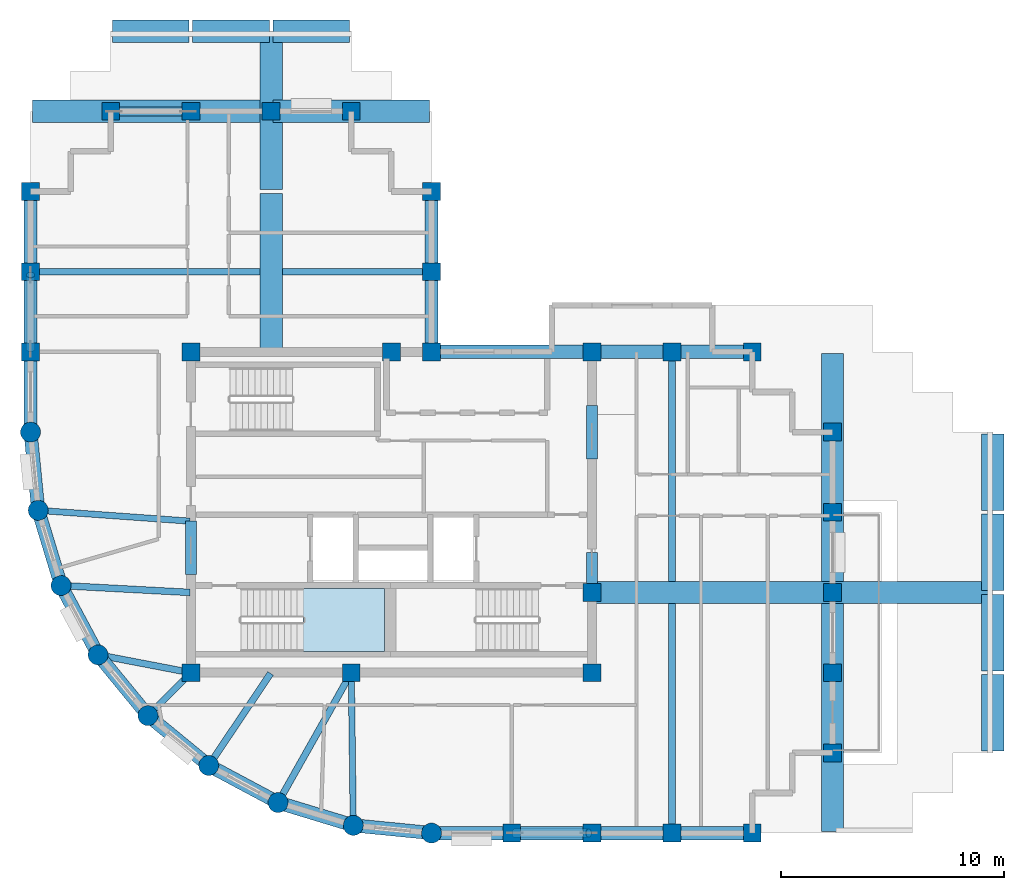
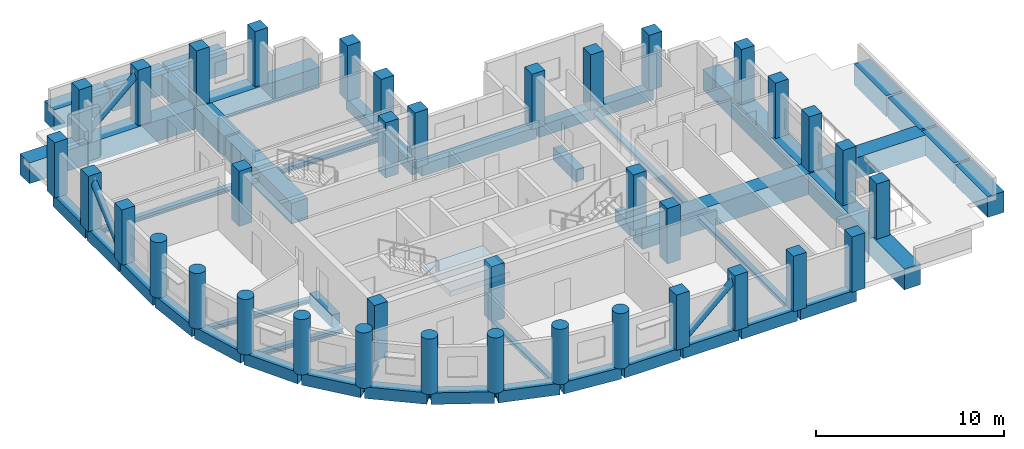
# One storey, part 1 of 7: 47 beams, 37 columns, 3 members, 1 slab, 1 element without a shape of its own.
"""IFC4 building model written with IfcOpenShell, lengths in metres."""

from ifc_helpers import new_model, si_unit, direction, frame, origin, origin_2d, place, context, subcontext, project, spatial, polyline, rectangle, circle, hollow_circle, i_section, outline, extrude, material, layer, layer_set, material_profile, profile_set, type_object, element, aggregate, save


model = new_model("IFC4")

# Units and contexts
model_context = context("Model", 3, precision=1e-05, world=origin(), true_north=direction((0.0, 1.0)))
body_context = subcontext(model_context, "Body", "Model", "MODEL_VIEW")
ifc_project = project(units=[si_unit("LENGTHUNIT", "METRE"), si_unit("AREAUNIT", "SQUARE_METRE"), si_unit("VOLUMEUNIT", "CUBIC_METRE"), si_unit("PLANEANGLEUNIT", "RADIAN"), si_unit("MASSUNIT", "GRAM", prefix="KILO")], contexts=[model_context])

# Site, building, storey
site_placement = place(None, origin())
site = spatial("IfcSite", under=ifc_project, at=site_placement, CompositionType="ELEMENT")
building_placement = place(site_placement, origin())
building = spatial("IfcBuilding", under=site, at=building_placement, Name="Solnavia Interchange Tower", CompositionType="ELEMENT")
storey_placement = place(building_placement, frame((0.0, 0.0, 221.0)))
storey = spatial("IfcBuildingStorey", under=building, at=storey_placement, Name="L55", CompositionType="ELEMENT", Elevation=221.0)

# Columns
ifc_material_1 = material(Name="Concrete C50/60", Category="concrete")
ifc_material_profile_1 = material_profile(ifc_material_1, rectangle(XDim=0.800048828125, YDim=0.800048828125, at=origin_2d()), Name="RC 800x800")
ifc_profile_set_1 = profile_set([ifc_material_profile_1], Name="Concrete C50/60")
column_type_1 = type_object("IfcColumnType", Name="Col-RC-800x800", PredefinedType="COLUMN", material=ifc_profile_set_1)
for number, where, z_axis, x_axis, name in (
    (1, (7.199951171875, 25.199951171875, 0.0), (0.0, 0.0, 1.0), (0.0, 1.0, 0.0), "COL-L55-02 Tower perim y column"),
    (2, (7.199951171875, 28.800048828125, 0.0), (0.0, 0.0, 1.0), (0.0, 1.0, 0.0), "COL-L55-03 Tower perim y column"),
    (3, (7.199951171875, 32.39990234375, 0.0), (0.0, 0.0, 1.0), (0.0, 1.0, 0.0), "COL-L55-04 Tower corner column"),
    (4, (10.800048828125, 36.0, 0.0), (0.0, 0.0, 1.0), (1.0, 0.0, 0.0), "COL-L55-08 Tower corner column"),
    (5, (14.39990234375, 10.800048828125, 0.0), (0.0, 0.0, 1.0), (1.0, 0.0, 0.0), "COL-L55-10 Tower interior column"),
    (6, (14.39990234375, 25.199951171875, 0.0), (0.0, 0.0, 1.0), (1.0, 0.0, 0.0), "COL-L55-11 Tower interior column"),
    (7, (14.39990234375, 36.0, 0.0), (0.0, 0.0, 1.0), (1.0, 0.0, 0.0), "COL-L55-12 Tower perim x column"),
    (8, (18.0, 36.0, 0.0), (0.0, 0.0, 1.0), (1.0, 0.0, 0.0), "COL-L55-14 Tower perim x column"),
    (9, (21.60009765625, 10.800048828125, 0.0), (0.0, 0.0, 1.0), (1.0, 0.0, 0.0), "COL-L55-16 Tower interior column"),
    (10, (21.60009765625, 36.0, 0.0), (0.0, 0.0, 1.0), (1.0, 0.0, 0.0), "COL-L55-17 Tower corner column"),
    (11, (23.39990234375, 25.199951171875, 0.0), (0.0, 0.0, 1.0), (1.0, 0.0, 0.0), "COL-L55-19 Tower interior column"),
    (12, (25.199951171875, 25.199951171875, 0.0), (0.0, 0.0, 1.0), (1.0, 0.0, 0.0), "COL-L55-21 Tower interior column"),
    (13, (25.199951171875, 28.800048828125, 0.0), (0.0, 0.0, 1.0), (0.0, 1.0, 0.0), "COL-L55-22 Tower perim y column"),
    (14, (25.199951171875, 32.39990234375, 0.0), (0.0, 0.0, 1.0), (0.0, 1.0, 0.0), "COL-L55-23 Tower corner column"),
    (15, (28.800048828125, 3.60009765625, 0.0), (0.0, 0.0, 1.0), (1.0, 0.0, 0.0), "COL-L55-24 Tower perim x column"),
    (16, (32.39990234375, 3.60009765625, 0.0), (0.0, 0.0, 1.0), (1.0, 0.0, 0.0), "COL-L55-25 Tower perim x column"),
    (17, (32.39990234375, 10.800048828125, 0.0), (0.0, 0.0, 1.0), (1.0, 0.0, 0.0), "COL-L55-26 Tower interior column"),
    (18, (32.39990234375, 14.39990234375, 0.0), (0.0, 0.0, 1.0), (1.0, 0.0, 0.0), "COL-L55-27 Tower interior column"),
    (19, (32.39990234375, 25.199951171875, 0.0), (0.0, 0.0, 1.0), (1.0, 0.0, 0.0), "COL-L55-28 Tower interior column"),
    (20, (36.0, 3.60009765625, 0.0), (0.0, 0.0, 1.0), (1.0, 0.0, 0.0), "COL-L55-29 Tower perim x column"),
    (21, (36.0, 25.199951171875, 0.0), (0.0, 0.0, 1.0), (1.0, 0.0, 0.0), "COL-L55-30 Tower perim x column"),
    (22, (39.60009765625, 3.60009765625, 0.0), (0.0, 0.0, 1.0), (1.0, 0.0, 0.0), "COL-L55-31 Tower corner column"),
    (23, (39.60009765625, 25.199951171875, 0.0), (0.0, 0.0, 1.0), (1.0, 0.0, 0.0), "COL-L55-32 Tower corner column"),
    (24, (43.199951171875, 7.199951171875, 0.0), (0.0, 0.0, 1.0), (1.0, 0.0, 0.0), "COL-L55-33 Tower corner column"),
    (25, (43.199951171875, 10.800048828125, 0.0), (0.0, 0.0, 1.0), (0.0, 1.0, 0.0), "COL-L55-34 Tower perim y column"),
    (26, (43.199951171875, 14.39990234375, 0.0), (0.0, 0.0, 1.0), (0.0, 1.0, 0.0), "COL-L55-35 Tower perim y column"),
    (27, (43.199951171875, 18.0, 0.0), (0.0, 0.0, 1.0), (0.0, 1.0, 0.0), "COL-L55-36 Tower perim y column"),
    (28, (43.199951171875, 21.60009765625, 0.0), (0.0, 0.0, 1.0), (0.0, 1.0, 0.0), "COL-L55-37 Tower corner column"),
):
    element("IfcColumn", number, at=place(storey_placement, frame(where, z_axis=z_axis, x_axis=x_axis)), inside=storey, type_object=column_type_1, Name=name, PredefinedType="COLUMN", context=body_context, shape_type="SweptSolid", body=[
        extrude(rectangle(XDim=0.800048828125, YDim=0.800048828125, at=origin_2d()), origin(), (0.0, 0.0, 1.0), 3.60009765625),
    ])
ifc_material_profile_2 = material_profile(ifc_material_1, circle(Radius=0.449951171875, at=origin_2d()), Name="RC D900")
ifc_profile_set_2 = profile_set([ifc_material_profile_2], Name="Concrete C50/60")
column_type_2 = type_object("IfcColumnType", Name="Col-RC-D900", PredefinedType="COLUMN", material=ifc_profile_set_2)
for number, where, z_axis, x_axis, name in (
    (29, (7.199951171875, 21.60009765625, 0.0), (0.0, 0.0, 1.0), (1.0, 0.0, 0.0), "COL-L55-01 Tower drum column"),
    (30, (7.5458984375, 18.087890625, 0.0), (0.0, 0.0, 1.0), (1.0, 0.0, 0.0), "COL-L55-05 Tower drum column"),
    (31, (8.570068359375, 14.7119140625, 0.0), (0.0, 0.0, 1.0), (1.0, 0.0, 0.0), "COL-L55-06 Tower drum column"),
    (32, (10.23388671875, 11.60009765625, 0.0), (0.0, 0.0, 1.0), (1.0, 0.0, 0.0), "COL-L55-07 Tower drum column"),
    (33, (12.471923828125, 8.8720703125, 0.0), (0.0, 0.0, 1.0), (1.0, 0.0, 0.0), "COL-L55-09 Tower drum column"),
    (34, (15.199951171875, 6.634033203125, 0.0), (0.0, 0.0, 1.0), (1.0, 0.0, 0.0), "COL-L55-13 Tower drum column"),
    (35, (18.31201171875, 4.969970703125, 0.0), (0.0, 0.0, 1.0), (1.0, 0.0, 0.0), "COL-L55-15 Tower drum column"),
    (36, (21.68798828125, 3.946044921875, 0.0), (0.0, 0.0, 1.0), (1.0, 0.0, 0.0), "COL-L55-18 Tower drum column"),
    (37, (25.199951171875, 3.60009765625, 0.0), (0.0, 0.0, 1.0), (1.0, 0.0, 0.0), "COL-L55-20 Tower drum column"),
):
    element("IfcColumn", number, at=place(storey_placement, frame(where, z_axis=z_axis, x_axis=x_axis)), inside=storey, type_object=column_type_2, Name=name, PredefinedType="COLUMN", context=body_context, shape_type="SweptSolid", body=[
        extrude(circle(Radius=0.449951171875, at=origin_2d()), origin(), (0.0, 0.0, 1.0), 3.60009765625),
    ])

# Beams
ifc_material_profile_3 = material_profile(ifc_material_1, rectangle(XDim=0.5, YDim=0.800048828125, at=origin_2d()), Name="RC 500x800")
ifc_profile_set_3 = profile_set([ifc_material_profile_3], Name="Concrete C50/60")
beam_type_1 = type_object("IfcBeamType", Name="Beam-Coupling-RC500x800", PredefinedType="LINTEL", material=ifc_profile_set_3)
beam_1_placement = place(storey_placement, frame((14.39990234375, 15.199951171875, -0.39990234375), z_axis=(0.0, 1.0, 0.0), x_axis=(-1.0, 0.0, 0.0)))
element("IfcBeam", 38, at=beam_1_placement, inside=storey, type_object=beam_type_1, Name="CPB-L55-W1 Core coupling lintel beam", PredefinedType="LINTEL", context=body_context, shape_type="SweptSolid", body=[
    extrude(rectangle(XDim=0.5, YDim=0.800048828125, at=origin_2d()), origin(), (0.0, 0.0, 1.0), 2.400146484375),
])
beam_2_placement = place(storey_placement, frame((32.39990234375, 14.60009765625, -0.39990234375), z_axis=(0.0, 1.0, 0.0), x_axis=(-1.0, 0.0, 0.0)))
element("IfcBeam", 39, at=beam_2_placement, inside=storey, type_object=beam_type_1, Name="CPB-L55-E1 Core coupling lintel beam", PredefinedType="LINTEL", context=body_context, shape_type="SweptSolid", body=[
    extrude(rectangle(XDim=0.5, YDim=0.800048828125, at=origin_2d()), origin(), (0.0, 0.0, 1.0), 1.599853515625),
])
beam_3_placement = place(storey_placement, frame((32.39990234375, 20.39990234375, -0.39990234375), z_axis=(0.0, 1.0, 0.0), x_axis=(-1.0, 0.0, 0.0)))
element("IfcBeam", 40, at=beam_3_placement, inside=storey, type_object=beam_type_1, Name="CPB-L55-E2 Core coupling lintel beam", PredefinedType="LINTEL", context=body_context, shape_type="SweptSolid", body=[
    extrude(rectangle(XDim=0.5, YDim=0.800048828125, at=origin_2d()), origin(), (0.0, 0.0, 1.0), 2.400146484375),
])
ifc_material_2 = material(Name="Steel S460", Category="steel")
ifc_material_profile_4 = material_profile(ifc_material_2, i_section(OverallWidth=0.300048828125, OverallDepth=0.300048828125, WebThickness=0.010986328125, FlangeThickness=0.01904296875, FilletRadius=0.027099609375, at=origin_2d()), Name="HEB 300")
ifc_profile_set_4 = profile_set([ifc_material_profile_4], Name="Steel S460")
beam_type_2 = type_object("IfcBeamType", Name="Beam-Girder-HEB300", PredefinedType="BEAM", material=ifc_profile_set_4)
beam_4_placement = place(storey_placement, frame((36.0, 3.679931640625, -0.469970703125), z_axis=(0.0, 1.0, 0.0), x_axis=(-1.0, 0.0, 0.0)))
element("IfcBeam", 41, at=beam_4_placement, inside=storey, type_object=beam_type_2, Name="GRD-L55-EW01 East wing primary floor girder", PredefinedType="BEAM", context=body_context, shape_type="SweptSolid", body=[
    extrude(i_section(OverallWidth=0.300048828125, OverallDepth=0.300048828125, WebThickness=0.010986328125, FlangeThickness=0.01904296875, FilletRadius=0.027099609375, at=origin_2d()), origin(), (0.0, 0.0, 1.0), 21.440185546875),
])
beam_5_placement = place(storey_placement, frame((8.64990234375, 14.707763671875, -0.469970703125), z_axis=(0.998570371303, -0.053452909696, 0.0), x_axis=(0.053452909696, 0.998570371303, 0.0)))
element("IfcBeam", 42, at=beam_5_placement, inside=storey, type_object=beam_type_2, Name="GRD-L55-DR04 Drum radial floor girder", PredefinedType="BEAM", context=body_context, shape_type="SweptSolid", body=[
    extrude(i_section(OverallWidth=0.300048828125, OverallDepth=0.300048828125, WebThickness=0.010986328125, FlangeThickness=0.01904296875, FilletRadius=0.027099609375, at=origin_2d()), origin(), (0.0, 0.0, 1.0), 5.71826171875),
])
beam_6_placement = place(storey_placement, frame((15.24462890625, 6.700439453125, -0.469970703125), z_axis=(0.557835474219, 0.829951555033, 0.0), x_axis=(-0.829951555033, 0.557835474219, 0.0)))
element("IfcBeam", 43, at=beam_6_placement, inside=storey, type_object=beam_type_2, Name="GRD-L55-DR07 Drum radial floor girder", PredefinedType="BEAM", context=body_context, shape_type="SweptSolid", body=[
    extrude(i_section(OverallWidth=0.300048828125, OverallDepth=0.300048828125, WebThickness=0.010986328125, FlangeThickness=0.01904296875, FilletRadius=0.027099609375, at=origin_2d()), origin(), (0.0, 0.0, 1.0), 4.899658203125),
])
ifc_material_3 = material(Name="Steel S355", Category="steel")
ifc_material_profile_5 = material_profile(ifc_material_3, i_section(OverallWidth=0.280029296875, OverallDepth=0.27001953125, WebThickness=0.008056640625, FlangeThickness=0.012939453125, FilletRadius=0.02392578125, at=origin_2d()), Name="HEA 280")
ifc_profile_set_5 = profile_set([ifc_material_profile_5], Name="Steel S355")
beam_type_3 = type_object("IfcBeamType", Name="Beam-Primary-HEA280", PredefinedType="BEAM", material=ifc_profile_set_5)
beam_7_placement = place(storey_placement, frame((7.625732421875, 18.082275390625, -0.455078125), z_axis=(0.99747482749, -0.071020902015, 0.0), x_axis=(0.071020902015, 0.99747482749, 0.0)))
element("IfcBeam", 44, at=beam_7_placement, inside=storey, type_object=beam_type_3, Name="GRD-L55-DR03 Drum radial floor girder", PredefinedType="BEAM", context=body_context, shape_type="SweptSolid", body=[
    extrude(i_section(OverallWidth=0.280029296875, OverallDepth=0.27001953125, WebThickness=0.008056640625, FlangeThickness=0.012939453125, FilletRadius=0.02392578125, at=origin_2d()), origin(), (0.0, 0.0, 1.0), 6.75146484375),
])
beam_8_placement = place(storey_placement, frame((12.528564453125, 8.9287109375, -0.455078125), z_axis=(0.707106781187, 0.707106781187, 0.0), x_axis=(-0.707106781187, 0.707106781187, 0.0)))
element("IfcBeam", 45, at=beam_8_placement, inside=storey, type_object=beam_type_3, Name="GRD-L55-DR06 Drum radial floor girder", PredefinedType="BEAM", context=body_context, shape_type="SweptSolid", body=[
    extrude(i_section(OverallWidth=0.280029296875, OverallDepth=0.27001953125, WebThickness=0.008056640625, FlangeThickness=0.012939453125, FilletRadius=0.02392578125, at=origin_2d()), origin(), (0.0, 0.0, 1.0), 2.6064453125),
])
beam_9_placement = place(storey_placement, frame((21.68701171875, 4.02587890625, -0.455078125), z_axis=(-0.01283293513, 0.999917654498, 0.0), x_axis=(-0.999917654498, -0.01283293513, 0.0)))
element("IfcBeam", 46, at=beam_9_placement, inside=storey, type_object=beam_type_3, Name="GRD-L55-DR09 Drum radial floor girder", PredefinedType="BEAM", context=body_context, shape_type="SweptSolid", body=[
    extrude(i_section(OverallWidth=0.280029296875, OverallDepth=0.27001953125, WebThickness=0.008056640625, FlangeThickness=0.012939453125, FilletRadius=0.02392578125, at=origin_2d()), origin(), (0.0, 0.0, 1.0), 6.734619140625),
])
ifc_material_profile_6 = material_profile(ifc_material_3, i_section(OverallWidth=0.300048828125, OverallDepth=0.31005859375, WebThickness=0.009033203125, FlangeThickness=0.015380859375, FilletRadius=0.027099609375, at=origin_2d()), Name="HEA 320")
ifc_profile_set_6 = profile_set([ifc_material_profile_6], Name="Steel S355")
beam_type_4 = type_object("IfcBeamType", Name="Beam-Primary-HEA320", PredefinedType="BEAM", material=ifc_profile_set_6)
beam_10_placement = place(storey_placement, frame((7.280029296875, 28.800048828125, -0.47509765625), z_axis=(1.0, 0.0, 0.0), x_axis=(0.0, 1.0, 0.0)))
element("IfcBeam", 47, at=beam_10_placement, inside=storey, type_object=beam_type_4, Name="GRD-L55-NW02 North wing primary floor girder", PredefinedType="BEAM", context=body_context, shape_type="SweptSolid", body=[
    extrude(i_section(OverallWidth=0.300048828125, OverallDepth=0.31005859375, WebThickness=0.009033203125, FlangeThickness=0.015380859375, FilletRadius=0.027099609375, at=origin_2d()), origin(), (0.0, 0.0, 1.0), 17.840087890625),
])
beam_11_placement = place(storey_placement, frame((10.3125, 11.5849609375, -0.47509765625), z_axis=(0.982057527796, -0.188581579428, 0.0), x_axis=(0.188581579428, 0.982057527796, 0.0)))
element("IfcBeam", 48, at=beam_11_placement, inside=storey, type_object=beam_type_4, Name="GRD-L55-DR05 Drum radial floor girder", PredefinedType="BEAM", context=body_context, shape_type="SweptSolid", body=[
    extrude(i_section(OverallWidth=0.300048828125, OverallDepth=0.31005859375, WebThickness=0.009033203125, FlangeThickness=0.015380859375, FilletRadius=0.027099609375, at=origin_2d()), origin(), (0.0, 0.0, 1.0), 4.1220703125),
])
beam_12_placement = place(storey_placement, frame((18.351318359375, 5.039794921875, -0.47509765625), z_axis=(0.491243158486, 0.871022479182, 0.0), x_axis=(-0.871022479182, 0.491243158486, 0.0)))
element("IfcBeam", 49, at=beam_12_placement, inside=storey, type_object=beam_type_4, Name="GRD-L55-DR08 Drum radial floor girder", PredefinedType="BEAM", context=body_context, shape_type="SweptSolid", body=[
    extrude(i_section(OverallWidth=0.300048828125, OverallDepth=0.31005859375, WebThickness=0.009033203125, FlangeThickness=0.015380859375, FilletRadius=0.027099609375, at=origin_2d()), origin(), (0.0, 0.0, 1.0), 6.5732421875),
])
ifc_material_profile_7 = material_profile(ifc_material_1, rectangle(XDim=0.60009765625, YDim=0.75, at=origin_2d()), Name="RC 600x750")
ifc_profile_set_7 = profile_set([ifc_material_profile_7], Name="Concrete C50/60")
beam_type_5 = type_object("IfcBeamType", Name="Beam-Spandrel-RC600x750", PredefinedType="SPANDREL", material=ifc_profile_set_7)
beam_13_placement = place(storey_placement, frame((7.207763671875, 21.5205078125, -0.375), z_axis=(0.098040038117, -0.995182471171, 0.0), x_axis=(0.995182471171, 0.098040038117, 0.0)))
element("IfcBeam", 50, at=beam_13_placement, inside=storey, type_object=beam_type_5, Name="SPB-L55-01 Framed-tube perimeter spandrel beam", PredefinedType="SPANDREL", context=body_context, shape_type="SweptSolid", body=[
    extrude(rectangle(XDim=0.60009765625, YDim=0.75, at=origin_2d()), origin(), (0.0, 0.0, 1.0), 3.369140625),
])
beam_14_placement = place(storey_placement, frame((7.569091796875, 18.011474609375, -0.375), z_axis=(0.290319223646, -0.956929855518, 0.0), x_axis=(0.956929855518, 0.290319223646, 0.0)))
element("IfcBeam", 51, at=beam_14_placement, inside=storey, type_object=beam_type_5, Name="SPB-L55-02 Framed-tube perimeter spandrel beam", PredefinedType="SPANDREL", context=body_context, shape_type="SweptSolid", body=[
    extrude(rectangle(XDim=0.60009765625, YDim=0.75, at=origin_2d()), origin(), (0.0, 0.0, 1.0), 3.367919921875),
])
beam_15_placement = place(storey_placement, frame((8.607666015625, 14.6416015625, -0.375), z_axis=(0.471509422952, -0.881861023102, 0.0), x_axis=(0.881861023102, 0.471509422952, 0.0)))
element("IfcBeam", 52, at=beam_15_placement, inside=storey, type_object=beam_type_5, Name="SPB-L55-03 Framed-tube perimeter spandrel beam", PredefinedType="SPANDREL", context=body_context, shape_type="SweptSolid", body=[
    extrude(rectangle(XDim=0.60009765625, YDim=0.75, at=origin_2d()), origin(), (0.0, 0.0, 1.0), 3.369140625),
])
for number, where, z_axis, x_axis, name in (
    (53, (10.28466796875, 11.5380859375, -0.375), (0.634298841675, -0.773087950656, 0.0), (0.773087950656, 0.634298841675, 0.0), "SPB-L55-04 Framed-tube perimeter spandrel beam"),
    (54, (12.53369140625, 8.8212890625, -0.375), (0.773152644452, -0.634219984214, 0.0), (0.634219984214, 0.773152644452, 0.0), "SPB-L55-05 Framed-tube perimeter spandrel beam"),
):
    element("IfcBeam", number, at=place(storey_placement, frame(where, z_axis=z_axis, x_axis=x_axis)), inside=storey, type_object=beam_type_5, Name=name, PredefinedType="SPANDREL", context=body_context, shape_type="SweptSolid", body=[
        extrude(rectangle(XDim=0.60009765625, YDim=0.75, at=origin_2d()), origin(), (0.0, 0.0, 1.0), 3.36865234375),
    ])
beam_16_placement = place(storey_placement, frame((15.2705078125, 6.59619140625, -0.375), z_axis=(0.881875044348, -0.47148319817, 0.0), x_axis=(0.47148319817, 0.881875044348, 0.0)))
element("IfcBeam", 55, at=beam_16_placement, inside=storey, type_object=beam_type_5, Name="SPB-L55-06 Framed-tube perimeter spandrel beam", PredefinedType="SPANDREL", context=body_context, shape_type="SweptSolid", body=[
    extrude(rectangle(XDim=0.60009765625, YDim=0.75, at=origin_2d()), origin(), (0.0, 0.0, 1.0), 3.368896484375),
])
beam_17_placement = place(storey_placement, frame((18.388671875, 4.94677734375, -0.375), z_axis=(0.956943884494, -0.290272978297, 0.0), x_axis=(0.290272978297, 0.956943884494, 0.0)))
element("IfcBeam", 56, at=beam_17_placement, inside=storey, type_object=beam_type_5, Name="SPB-L55-07 Framed-tube perimeter spandrel beam", PredefinedType="SPANDREL", context=body_context, shape_type="SweptSolid", body=[
    extrude(rectangle(XDim=0.60009765625, YDim=0.75, at=origin_2d()), origin(), (0.0, 0.0, 1.0), 3.36767578125),
])
beam_18_placement = place(storey_placement, frame((21.767578125, 3.938232421875, -0.375), z_axis=(0.995181774609, -0.098047108501, 0.0), x_axis=(0.098047108501, 0.995181774609, 0.0)))
element("IfcBeam", 57, at=beam_18_placement, inside=storey, type_object=beam_type_5, Name="SPB-L55-08 Framed-tube perimeter spandrel beam", PredefinedType="SPANDREL", context=body_context, shape_type="SweptSolid", body=[
    extrude(rectangle(XDim=0.60009765625, YDim=0.75, at=origin_2d()), origin(), (0.0, 0.0, 1.0), 3.368896484375),
])
beam_19_placement = place(storey_placement, frame((25.280029296875, 3.60009765625, -0.375), z_axis=(1.0, 0.0, 0.0), x_axis=(0.0, 1.0, 0.0)))
element("IfcBeam", 58, at=beam_19_placement, inside=storey, type_object=beam_type_5, Name="SPB-L55-09 Framed-tube perimeter spandrel beam", PredefinedType="SPANDREL", context=body_context, shape_type="SweptSolid", body=[
    extrude(rectangle(XDim=0.60009765625, YDim=0.75, at=origin_2d()), origin(), (0.0, 0.0, 1.0), 3.43994140625),
])
beam_20_placement = place(storey_placement, frame((28.8798828125, 3.60009765625, -0.375), z_axis=(1.0, 0.0, 0.0), x_axis=(0.0, 1.0, 0.0)))
element("IfcBeam", 59, at=beam_20_placement, inside=storey, type_object=beam_type_5, Name="SPB-L55-10 Framed-tube perimeter spandrel beam", PredefinedType="SPANDREL", context=body_context, shape_type="SweptSolid", body=[
    extrude(rectangle(XDim=0.60009765625, YDim=0.75, at=origin_2d()), origin(), (0.0, 0.0, 1.0), 3.440185546875),
])
for number, where, z_axis, x_axis, name in (
    (60, (32.47998046875, 3.60009765625, -0.375), (1.0, 0.0, 0.0), (0.0, 1.0, 0.0), "SPB-L55-11 Framed-tube perimeter spandrel beam"),
    (61, (36.080078125, 3.60009765625, -0.375), (1.0, 0.0, 0.0), (0.0, 1.0, 0.0), "SPB-L55-12 Framed-tube perimeter spandrel beam"),
    (62, (39.52001953125, 25.199951171875, -0.375), (-1.0, 0.0, 0.0), (0.0, -1.0, 0.0), "SPB-L55-13 Framed-tube perimeter spandrel beam"),
    (63, (35.919921875, 25.199951171875, -0.375), (-1.0, 0.0, 0.0), (0.0, -1.0, 0.0), "SPB-L55-14 Framed-tube perimeter spandrel beam"),
):
    element("IfcBeam", number, at=place(storey_placement, frame(where, z_axis=z_axis, x_axis=x_axis)), inside=storey, type_object=beam_type_5, Name=name, PredefinedType="SPANDREL", context=body_context, shape_type="SweptSolid", body=[
        extrude(rectangle(XDim=0.60009765625, YDim=0.75, at=origin_2d()), origin(), (0.0, 0.0, 1.0), 3.43994140625),
    ])
beam_21_placement = place(storey_placement, frame((32.320068359375, 25.199951171875, -0.375), z_axis=(-1.0, 0.0, 0.0), x_axis=(0.0, -1.0, 0.0)))
element("IfcBeam", 64, at=beam_21_placement, inside=storey, type_object=beam_type_5, Name="SPB-L55-15 Framed-tube perimeter spandrel beam", PredefinedType="SPANDREL", context=body_context, shape_type="SweptSolid", body=[
    extrude(rectangle(XDim=0.60009765625, YDim=0.75, at=origin_2d()), origin(), (0.0, 0.0, 1.0), 7.0400390625),
])
beam_22_placement = place(storey_placement, frame((25.199951171875, 25.280029296875, -0.375), z_axis=(0.0, 1.0, 0.0), x_axis=(-1.0, 0.0, 0.0)))
element("IfcBeam", 65, at=beam_22_placement, inside=storey, type_object=beam_type_5, Name="SPB-L55-16 Framed-tube perimeter spandrel beam", PredefinedType="SPANDREL", context=body_context, shape_type="SweptSolid", body=[
    extrude(rectangle(XDim=0.60009765625, YDim=0.75, at=origin_2d()), origin(), (0.0, 0.0, 1.0), 3.43994140625),
])
for number, where, z_axis, x_axis, name in (
    (66, (25.199951171875, 28.8798828125, -0.375), (0.0, 1.0, 0.0), (-1.0, 0.0, 0.0), "SPB-L55-17 Framed-tube perimeter spandrel beam"),
    (67, (7.199951171875, 32.320068359375, -0.375), (0.0, -1.0, 0.0), (1.0, 0.0, 0.0), "SPB-L55-18 Framed-tube perimeter spandrel beam"),
):
    element("IfcBeam", number, at=place(storey_placement, frame(where, z_axis=z_axis, x_axis=x_axis)), inside=storey, type_object=beam_type_5, Name=name, PredefinedType="SPANDREL", context=body_context, shape_type="SweptSolid", body=[
        extrude(rectangle(XDim=0.60009765625, YDim=0.75, at=origin_2d()), origin(), (0.0, 0.0, 1.0), 3.440185546875),
    ])
beam_23_placement = place(storey_placement, frame((7.199951171875, 28.719970703125, -0.375), z_axis=(0.0, -1.0, 0.0), x_axis=(1.0, 0.0, 0.0)))
element("IfcBeam", 68, at=beam_23_placement, inside=storey, type_object=beam_type_5, Name="SPB-L55-19 Framed-tube perimeter spandrel beam", PredefinedType="SPANDREL", context=body_context, shape_type="SweptSolid", body=[
    extrude(rectangle(XDim=0.60009765625, YDim=0.75, at=origin_2d()), origin(), (0.0, 0.0, 1.0), 3.43994140625),
])
beam_24_placement = place(storey_placement, frame((7.199951171875, 25.1201171875, -0.375), z_axis=(0.0, -1.0, 0.0), x_axis=(1.0, 0.0, 0.0)))
element("IfcBeam", 69, at=beam_24_placement, inside=storey, type_object=beam_type_5, Name="SPB-L55-20 Framed-tube perimeter spandrel beam", PredefinedType="SPANDREL", context=body_context, shape_type="SweptSolid", body=[
    extrude(rectangle(XDim=0.60009765625, YDim=0.75, at=origin_2d()), origin(), (0.0, 0.0, 1.0), 3.440185546875),
])
ifc_material_4 = material(Name="Concrete C60/75", Category="concrete")
ifc_material_profile_8 = material_profile(ifc_material_4, rectangle(XDim=1.0, YDim=1.35009765625, at=origin_2d()), Name="RC 1000x1350")
ifc_profile_set_8 = profile_set([ifc_material_profile_8], Name="Concrete C60/75")
beam_type_6 = type_object("IfcBeamType", Name="Beam-Transfer-RC1000x1350", PredefinedType="BEAM", material=ifc_profile_set_8)
beam_25_placement = place(storey_placement, frame((32.47998046875, 14.39990234375, -0.675048828125), z_axis=(1.0, 0.0, 0.0), x_axis=(0.0, 1.0, 0.0)))
element("IfcBeam", 70, at=beam_25_placement, inside=storey, type_object=beam_type_6, Name="TRB-L55-01 East setback spine transfer girder", PredefinedType="BEAM", context=body_context, shape_type="SweptSolid", body=[
    extrude(rectangle(XDim=1.0, YDim=1.35009765625, at=origin_2d()), origin(), (0.0, 0.0, 1.0), 10.64013671875),
])
beam_26_placement = place(storey_placement, frame((43.280029296875, 14.39990234375, -0.675048828125), z_axis=(1.0, 0.0, 0.0), x_axis=(0.0, 1.0, 0.0)))
element("IfcBeam", 71, at=beam_26_placement, inside=storey, type_object=beam_type_6, Name="TRB-L55-02 East setback spine transfer girder", PredefinedType="BEAM", context=body_context, shape_type="SweptSolid", body=[
    extrude(rectangle(XDim=1.0, YDim=1.35009765625, at=origin_2d()), origin(), (0.0, 0.0, 1.0), 7.0400390625),
])
for number, where, z_axis, x_axis, name in (
    (72, (43.199951171875, 3.679931640625, -0.675048828125), (0.0, 1.0, 0.0), (-1.0, 0.0, 0.0), "TRB-L55-03 East setback perimeter transfer girder"),
    (73, (43.199951171875, 14.47998046875, -0.675048828125), (0.0, 1.0, 0.0), (-1.0, 0.0, 0.0), "TRB-L55-04 East setback perimeter transfer girder"),
):
    element("IfcBeam", number, at=place(storey_placement, frame(where, z_axis=z_axis, x_axis=x_axis)), inside=storey, type_object=beam_type_6, Name=name, PredefinedType="BEAM", context=body_context, shape_type="SweptSolid", body=[
        extrude(rectangle(XDim=1.0, YDim=1.35009765625, at=origin_2d()), origin(), (0.0, 0.0, 1.0), 10.64013671875),
    ])
beam_27_placement = place(storey_placement, frame((50.39990234375, 7.280029296875, -0.675048828125), z_axis=(0.0, 1.0, 0.0), x_axis=(-1.0, 0.0, 0.0)))
element("IfcBeam", 74, at=beam_27_placement, inside=storey, type_object=beam_type_6, Name="TRB-L55-05 East setback ledge edge beam", PredefinedType="BEAM", context=body_context, shape_type="SweptSolid", body=[
    extrude(rectangle(XDim=1.0, YDim=1.35009765625, at=origin_2d()), origin(), (0.0, 0.0, 1.0), 3.43994140625),
])
beam_28_placement = place(storey_placement, frame((50.39990234375, 10.8798828125, -0.675048828125), z_axis=(0.0, 1.0, 0.0), x_axis=(-1.0, 0.0, 0.0)))
element("IfcBeam", 75, at=beam_28_placement, inside=storey, type_object=beam_type_6, Name="TRB-L55-06 East setback ledge edge beam", PredefinedType="BEAM", context=body_context, shape_type="SweptSolid", body=[
    extrude(rectangle(XDim=1.0, YDim=1.35009765625, at=origin_2d()), origin(), (0.0, 0.0, 1.0), 3.440185546875),
])
for number, where, z_axis, x_axis, name in (
    (76, (50.39990234375, 14.47998046875, -0.675048828125), (0.0, 1.0, 0.0), (-1.0, 0.0, 0.0), "TRB-L55-07 East setback ledge edge beam"),
    (77, (50.39990234375, 18.080078125, -0.675048828125), (0.0, 1.0, 0.0), (-1.0, 0.0, 0.0), "TRB-L55-08 East setback ledge edge beam"),
):
    element("IfcBeam", number, at=place(storey_placement, frame(where, z_axis=z_axis, x_axis=x_axis)), inside=storey, type_object=beam_type_6, Name=name, PredefinedType="BEAM", context=body_context, shape_type="SweptSolid", body=[
        extrude(rectangle(XDim=1.0, YDim=1.35009765625, at=origin_2d()), origin(), (0.0, 0.0, 1.0), 3.43994140625),
    ])
for number, where, z_axis, x_axis, name in (
    (78, (18.0, 25.280029296875, -0.675048828125), (0.0, 1.0, 0.0), (-1.0, 0.0, 0.0), "TRB-L55-09 North setback spine transfer girder"),
    (79, (18.0, 32.47998046875, -0.675048828125), (0.0, 1.0, 0.0), (-1.0, 0.0, 0.0), "TRB-L55-10 North setback spine transfer girder"),
):
    element("IfcBeam", number, at=place(storey_placement, frame(where, z_axis=z_axis, x_axis=x_axis)), inside=storey, type_object=beam_type_6, Name=name, PredefinedType="BEAM", context=body_context, shape_type="SweptSolid", body=[
        extrude(rectangle(XDim=1.0, YDim=1.35009765625, at=origin_2d()), origin(), (0.0, 0.0, 1.0), 7.0400390625),
    ])
beam_29_placement = place(storey_placement, frame((7.280029296875, 36.0, -0.675048828125), z_axis=(1.0, 0.0, 0.0), x_axis=(0.0, 1.0, 0.0)))
element("IfcBeam", 80, at=beam_29_placement, inside=storey, type_object=beam_type_6, Name="TRB-L55-11 North setback perimeter transfer girder", PredefinedType="BEAM", context=body_context, shape_type="SweptSolid", body=[
    extrude(rectangle(XDim=1.0, YDim=1.35009765625, at=origin_2d()), origin(), (0.0, 0.0, 1.0), 10.639892578125),
])
beam_30_placement = place(storey_placement, frame((18.080078125, 36.0, -0.675048828125), z_axis=(1.0, 0.0, 0.0), x_axis=(0.0, 1.0, 0.0)))
element("IfcBeam", 81, at=beam_30_placement, inside=storey, type_object=beam_type_6, Name="TRB-L55-12 North setback perimeter transfer girder", PredefinedType="BEAM", context=body_context, shape_type="SweptSolid", body=[
    extrude(rectangle(XDim=1.0, YDim=1.35009765625, at=origin_2d()), origin(), (0.0, 0.0, 1.0), 7.0400390625),
])
beam_31_placement = place(storey_placement, frame((10.8798828125, 39.60009765625, -0.675048828125), z_axis=(1.0, 0.0, 0.0), x_axis=(0.0, 1.0, 0.0)))
element("IfcBeam", 82, at=beam_31_placement, inside=storey, type_object=beam_type_6, Name="TRB-L55-13 North setback ledge edge beam", PredefinedType="BEAM", context=body_context, shape_type="SweptSolid", body=[
    extrude(rectangle(XDim=1.0, YDim=1.35009765625, at=origin_2d()), origin(), (0.0, 0.0, 1.0), 3.440185546875),
])
for number, where, z_axis, x_axis, name in (
    (83, (14.47998046875, 39.60009765625, -0.675048828125), (1.0, 0.0, 0.0), (0.0, 1.0, 0.0), "TRB-L55-14 North setback ledge edge beam"),
    (84, (18.080078125, 39.60009765625, -0.675048828125), (1.0, 0.0, 0.0), (0.0, 1.0, 0.0), "TRB-L55-15 North setback ledge edge beam"),
):
    element("IfcBeam", number, at=place(storey_placement, frame(where, z_axis=z_axis, x_axis=x_axis)), inside=storey, type_object=beam_type_6, Name=name, PredefinedType="BEAM", context=body_context, shape_type="SweptSolid", body=[
        extrude(rectangle(XDim=1.0, YDim=1.35009765625, at=origin_2d()), origin(), (0.0, 0.0, 1.0), 3.43994140625),
    ])

# Members
ifc_material_profile_9 = material_profile(ifc_material_2, hollow_circle(Radius=0.203125, WallThickness=0.02001953125, at=origin_2d()), Name="CHS 406.4x20")
ifc_profile_set_9 = profile_set([ifc_material_profile_9], Name="Steel S460")
member_type = type_object("IfcMemberType", Name="Brace-Perim-CHS406", PredefinedType="BRACE", material=ifc_profile_set_9)
member_1_placement = place(storey_placement, frame((28.93994140625, 3.60009765625, 0.179931640625), z_axis=(0.74307946371, 0.0, 0.669203190827), x_axis=(0.0, 1.0, 0.0)))
element("IfcMember", 85, at=member_1_placement, inside=storey, type_object=member_type, Name="BRC-L55-01 Perimeter tube diagonal brace", PredefinedType="BRACE", context=body_context, shape_type="SweptSolid", body=[
    extrude(hollow_circle(Radius=0.203125, WallThickness=0.02001953125, at=origin_2d()), origin(), (0.0, 0.0, 1.0), 4.468017578125),
])
member_2_placement = place(storey_placement, frame((7.199951171875, 25.340087890625, 0.179931640625), z_axis=(0.0, 0.743054991638, 0.669230363479), x_axis=(-1.0, 0.0, 0.0)))
element("IfcMember", 86, at=member_2_placement, inside=storey, type_object=member_type, Name="BRC-L55-02 Perimeter tube diagonal brace", PredefinedType="BRACE", context=body_context, shape_type="SweptSolid", body=[
    extrude(hollow_circle(Radius=0.203125, WallThickness=0.02001953125, at=origin_2d()), origin(), (0.0, 0.0, 1.0), 4.4677734375),
])
member_3_placement = place(storey_placement, frame((10.93994140625, 36.0, 0.179931640625), z_axis=(0.74307946371, 0.0, 0.669203190827), x_axis=(0.0, 1.0, 0.0)))
element("IfcMember", 87, at=member_3_placement, inside=storey, type_object=member_type, Name="BRC-L55-03 Perimeter tube diagonal brace", PredefinedType="BRACE", context=body_context, shape_type="SweptSolid", body=[
    extrude(hollow_circle(Radius=0.203125, WallThickness=0.02001953125, at=origin_2d()), origin(), (0.0, 0.0, 1.0), 4.468017578125),
])

# Stair, slab
ifc_material_5 = material(Name="Concrete C40/50", Category="concrete")
stair_type = type_object("IfcStairType", Name="Stair-Dogleg-RC", PredefinedType="HALF_TURN_STAIR", material=ifc_material_5)
stair_placement = place(storey_placement, origin())
stair = element("IfcStair", 88, at=stair_placement, inside=storey, type_object=stair_type, Name="L55 Core exit stair 1", PredefinedType="HALF_TURN_STAIR")
ifc_layer = layer(ifc_material_5, 0.35009765625)
ifc_layer_set = layer_set([ifc_layer], Name="Concrete C40/50")
slab_type = type_object("IfcSlabType", Name="Slab-StairLanding-350", PredefinedType="LANDING", material=ifc_layer_set)
slab_placement = place(storey_placement, frame((0.0, 0.0, 1.449951171875)))
slab = element("IfcSlab", 89, at=slab_placement, type_object=slab_type, Name="ST-1 landing 1", PredefinedType="LANDING", context=body_context, shape_type="SweptSolid", body=[
    extrude(outline(polyline([(19.427978515625, 11.75), (23.10009765625, 11.75), (23.10009765625, 14.590087890625), (19.427978515625, 14.590087890625), (19.427978515625, 11.75)])), origin(), (0.0, 0.0, 1.0), 0.35009765625),
])
aggregate(stair, [slab])

save(model, "model.ifc")
